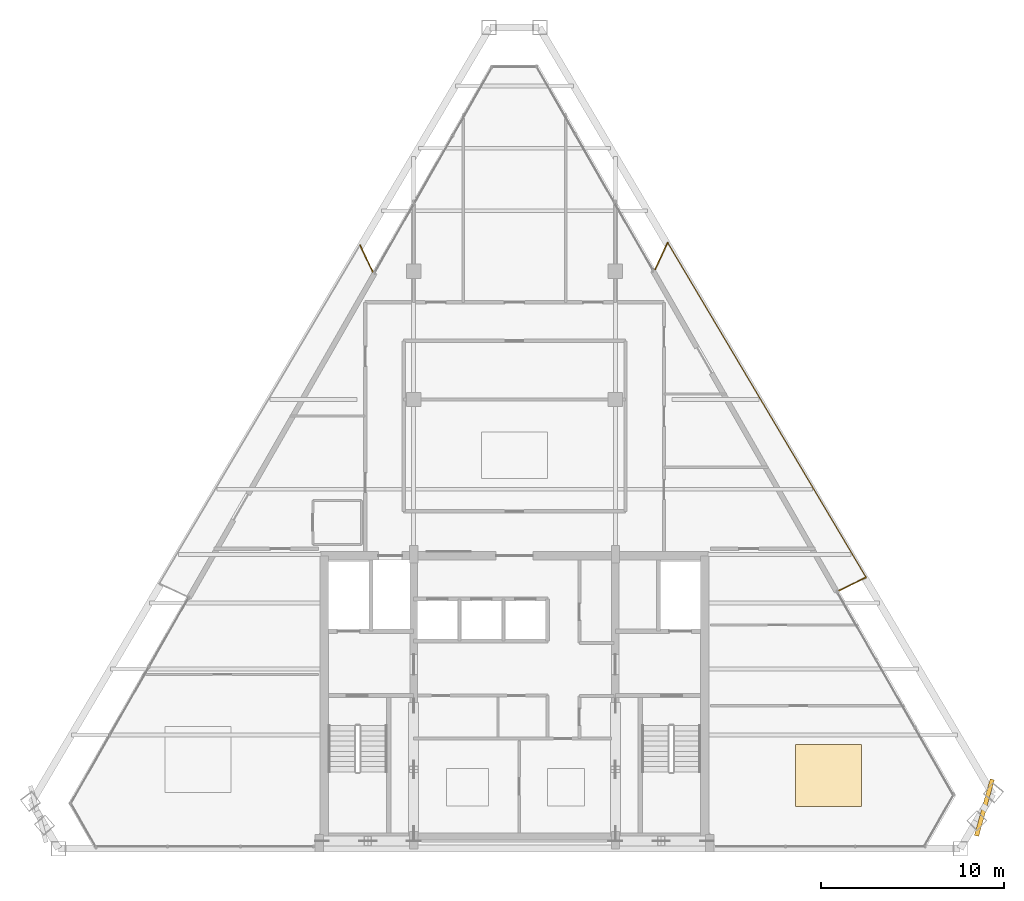
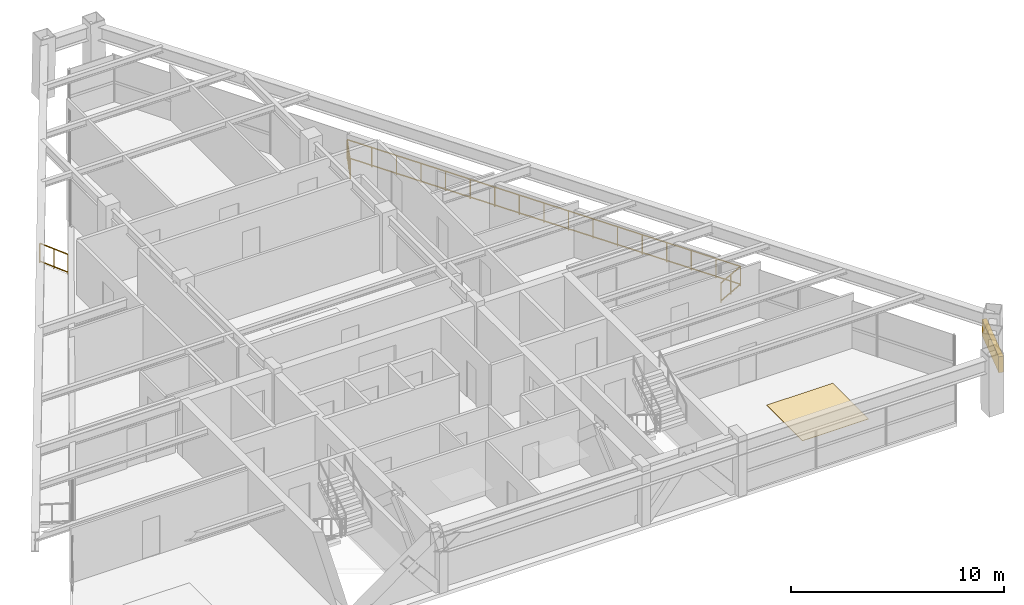
# One storey, part 13 of 13: 4 railings, 1 covering, 1 shading device.
"""IFC4 building model written with IfcOpenShell, lengths in metres."""

import ifcopenshell
import ifcopenshell.guid

model = None  # the IFC model being written
_history = None  # IfcOwnerHistory: only IFC2X3 demands one
_inside = {}  # id of a spatial element -> (the spatial element, [elements in it])
_under = {}  # id of a project, library or spatial element -> (it, [spatial elements below it])
_declared = {}  # id of a project -> (the project, [libraries it declares])
_typed = {}  # id of a type object -> (the type object, [elements of that type])
_made_of = {}  # id of a material, layer set ... -> (it, [elements and type objects made of it])


def new_model(schema):
    """Start an empty IFC model of exactly this schema.

    Asked for "IFC4X3", IfcOpenShell would pick the latest addendum, in which some entities
    have other attributes; the version numbers below select the first issue.
    IFC2X3 requires an IfcOwnerHistory on every rooted entity: one is made here for all.
    """
    global model, _history
    if schema == "IFC4X3":
        model = ifcopenshell.file(schema_version=(4, 3, 0, 0))
    else:
        model = ifcopenshell.file(schema=schema)
    _inside.clear()
    _under.clear()
    _declared.clear()
    _typed.clear()
    _made_of.clear()
    _history = None
    if model.schema == "IFC2X3":
        org = make("IfcOrganization", Name="unknown")
        user = make(
            "IfcPersonAndOrganization",
            ThePerson=make("IfcPerson", FamilyName="unknown"),
            TheOrganization=org,
        )
        app = make(
            "IfcApplication",
            ApplicationDeveloper=org,
            Version="unknown",
            ApplicationFullName="unknown",
            ApplicationIdentifier="unknown",
        )
        _history = make(
            "IfcOwnerHistory",
            OwningUser=user,
            OwningApplication=app,
            ChangeAction="ADDED",
            CreationDate=0,
        )
    return model


def make(cls, **values):
    """One entity of the class cls with the attributes given. An attribute that is None is left unset."""
    return model.create_entity(
        cls, **{name: value for name, value in values.items() if value is not None}
    )


def rooted(cls, **values):
    """An entity with a GlobalId (a new one), such as an element, a storey or a relation."""
    return make(cls, GlobalId=ifcopenshell.guid.new(), OwnerHistory=_history, **values)


def si_unit(unit_type, name, prefix=None):
    """IfcSIUnit, for example si_unit("LENGTHUNIT", "METRE", prefix="MILLI")."""
    return make("IfcSIUnit", UnitType=unit_type, Prefix=prefix, Name=name)


def assignment(units):
    """IfcUnitAssignment: the units of a project."""
    return None if units is None else make("IfcUnitAssignment", Units=units)


def point(xyz):
    """IfcCartesianPoint."""
    return None if xyz is None else make("IfcCartesianPoint", Coordinates=xyz)


def direction(xyz):
    """IfcDirection."""
    return None if xyz is None else make("IfcDirection", DirectionRatios=xyz)


def frame(location, z_axis=None, x_axis=None):
    """IfcAxis2Placement3D, a coordinate frame: its origin and axes. An axis left out is left unset."""
    return make(
        "IfcAxis2Placement3D",
        Location=point(location),
        Axis=direction(z_axis),
        RefDirection=direction(x_axis),
    )


def frame_2d(location, x_axis=None):
    """IfcAxis2Placement2D, a coordinate frame in the plane: its origin and x axis."""
    return make(
        "IfcAxis2Placement2D", Location=point(location), RefDirection=direction(x_axis)
    )


def origin():
    """The frame at (0, 0, 0) with its axes left unset."""
    return frame((0.0, 0.0, 0.0))


def origin_2d():
    """The frame at (0, 0) in the plane with its x axis left unset."""
    return frame_2d((0.0, 0.0))


def place(relative_to, where):
    """IfcLocalPlacement: puts the frame where relative to a parent placement (None: the world)."""
    return make(
        "IfcLocalPlacement", PlacementRelTo=relative_to, RelativePlacement=where
    )


def context(
    kind, dimensions, precision=None, world=None, true_north=None, identifier=None
):
    """IfcGeometricRepresentationContext, for example the 3D "Model" context."""
    return make(
        "IfcGeometricRepresentationContext",
        ContextIdentifier=identifier,
        ContextType=kind,
        CoordinateSpaceDimension=dimensions,
        Precision=precision,
        WorldCoordinateSystem=world,
        TrueNorth=true_north,
    )


def subcontext(parent, identifier, kind, view, scale=None):
    """IfcGeometricRepresentationSubContext, for example "Body" below "Model"."""
    return make(
        "IfcGeometricRepresentationSubContext",
        ContextIdentifier=identifier,
        ContextType=kind,
        ParentContext=parent,
        TargetScale=scale,
        TargetView=view,
    )


def project(units=None, contexts=None):
    """IfcProject with its units and contexts."""
    return rooted(
        "IfcProject",
        Name="project",
        RepresentationContexts=contexts,
        UnitsInContext=assignment(units),
    )


def spatial(cls, under=None, at=None, **own):
    """A site, building, storey or space (cls), placed at a placement, below another one or the project."""
    s = rooted(cls, ObjectPlacement=at, **own)
    if under is not None:
        _under.setdefault(under.id(), (under, []))[1].append(s)
    return s


def profile(cls, at=None, kind="AREA", **sizes):
    """A parametric profile (cls). Its sizes go by their IFC names, for example OverallWidth=200.0."""
    return make(cls, ProfileType=kind, Position=at, **sizes)


def rectangle(**sizes):
    """IfcRectangleProfileDef."""
    return profile("IfcRectangleProfileDef", **sizes)


def extrude(swept, where, along, depth):
    """IfcExtrudedAreaSolid: the profile swept, set in the frame where, extruded along a direction by depth."""
    return make(
        "IfcExtrudedAreaSolid",
        SweptArea=swept,
        Position=where,
        ExtrudedDirection=direction(along),
        Depth=depth,
    )


def shape(context_of_items, identifier, shape_type, items):
    """IfcShapeRepresentation: the items that make up one representation, for example the "Body"."""
    return make(
        "IfcShapeRepresentation",
        ContextOfItems=context_of_items,
        RepresentationIdentifier=identifier,
        RepresentationType=shape_type,
        Items=items,
    )


def source(mapping_origin, context_of_items, identifier, shape_type, items):
    """IfcRepresentationMap: a shape defined once, which mapped items show again and again."""
    return make(
        "IfcRepresentationMap",
        MappingOrigin=mapping_origin,
        MappedRepresentation=shape(context_of_items, identifier, shape_type, items),
    )


def transform(
    local_origin,
    x_axis=None,
    y_axis=None,
    z_axis=None,
    scale=None,
    scale2=None,
    scale3=None,
    uniform=True,
):
    """IfcCartesianTransformationOperator3D, or its non-uniform kind. x_axis, y_axis, z_axis: its Axis1, 2, 3."""
    if uniform:
        return make(
            "IfcCartesianTransformationOperator3D",
            Axis1=direction(x_axis),
            Axis2=direction(y_axis),
            LocalOrigin=point(local_origin),
            Scale=scale,
            Axis3=direction(z_axis),
        )
    return make(
        "IfcCartesianTransformationOperator3DnonUniform",
        Axis1=direction(x_axis),
        Axis2=direction(y_axis),
        LocalOrigin=point(local_origin),
        Scale=scale,
        Axis3=direction(z_axis),
        Scale2=scale2,
        Scale3=scale3,
    )


def mapped(mapping_source, mapping_target):
    """IfcMappedItem: shows the shape of a source again, moved by a transform."""
    return make(
        "IfcMappedItem", MappingSource=mapping_source, MappingTarget=mapping_target
    )


def material(Name=None, Category=None):
    """IfcMaterial."""
    return make("IfcMaterial", Name=Name, Category=Category)


def layer(
    of_material, thickness, ventilated=None, Name=None, Category=None, Priority=None
):
    """IfcMaterialLayer: one layer of a wall or slab, of a material (None: an air gap)."""
    return make(
        "IfcMaterialLayer",
        Material=of_material,
        LayerThickness=thickness,
        IsVentilated=ventilated,
        Name=Name,
        Category=Category,
        Priority=Priority,
    )


def layer_set(layers, Name=None):
    """IfcMaterialLayerSet."""
    return make("IfcMaterialLayerSet", MaterialLayers=layers, LayerSetName=Name)


def made_of(thing, what):
    """Note that an element or type object is made of a material, layer set ...; save() writes the relation."""
    if what is not None:
        _made_of.setdefault(what.id(), (what, []))[1].append(thing)
    return thing


def type_object(cls, material=None, **own):
    """A type object (cls), such as IfcWallType, which elements share."""
    return made_of(rooted(cls, **own), material)


def type_shapes(of_type, sources):
    """Give a type object the sources (RepresentationMaps) that its elements show as mapped items."""
    of_type.RepresentationMaps = sources


def element(
    cls,
    number,
    at=None,
    inside=None,
    cuts=None,
    type_object=None,
    material=None,
    context=None,
    identifier="Body",
    shape_type=None,
    held_by="IfcProductDefinitionShape",
    body=None,
    shapes=None,
    **own,
):
    """One element of the class cls, such as IfcWall. Its Tag is "e" and its number.

    at: its placement. inside: the storey or other place that contains it. cuts: it is an
    opening in that element (IfcRelVoidsElement). A single representation is given by context,
    identifier, shape_type and body (its items); several are given by shapes. held_by: the class
    of the entity that holds the representations. save() writes the other relations.
    """
    e = rooted(cls, Tag="e%d" % number, ObjectPlacement=at, **own)
    if body is not None:
        shapes = [shape(context, identifier, shape_type, body)]
    if shapes is not None:
        e.Representation = make(held_by, Representations=shapes)
    if inside is not None:
        _inside.setdefault(inside.id(), (inside, []))[1].append(e)
    if cuts is not None:
        rooted(
            "IfcRelVoidsElement", RelatingBuildingElement=cuts, RelatedOpeningElement=e
        )
    if type_object is not None:
        _typed.setdefault(type_object.id(), (type_object, []))[1].append(e)
    return made_of(e, material)


def aggregate(whole, parts):
    """IfcRelAggregates: a whole, such as a stair, and the parts it consists of."""
    return rooted("IfcRelAggregates", RelatingObject=whole, RelatedObjects=parts)


def save(model, path):
    """Write the relations noted so far, then the file.

    IfcRelAggregates (storeys below a building ...), IfcRelContainedInSpatialStructure (elements
    in a storey), IfcRelDefinesByType, IfcRelAssociatesMaterial and IfcRelDeclares: one each for
    every whole, place, type object, material and project.
    """
    for whole, parts in _under.values():
        aggregate(whole, parts)
    for where, things in _inside.values():
        rooted(
            "IfcRelContainedInSpatialStructure",
            RelatedElements=things,
            RelatingStructure=where,
        )
    for kind, things in _typed.values():
        rooted("IfcRelDefinesByType", RelatedObjects=things, RelatingType=kind)
    for what, things in _made_of.values():
        rooted("IfcRelAssociatesMaterial", RelatedObjects=things, RelatingMaterial=what)
    for by, libraries in _declared.values():
        rooted("IfcRelDeclares", RelatingContext=by, RelatedDefinitions=libraries)
    model.write(path)


model = new_model("IFC4")

# Units and contexts
model_context = context("Model", 3, precision=1e-05, world=origin(), true_north=direction((0.0, 1.0)))
body_context = subcontext(model_context, "Body", "Model", "MODEL_VIEW")
ifc_project = project(units=[si_unit("LENGTHUNIT", "METRE"), si_unit("AREAUNIT", "SQUARE_METRE"), si_unit("VOLUMEUNIT", "CUBIC_METRE"), si_unit("PLANEANGLEUNIT", "RADIAN"), si_unit("MASSUNIT", "GRAM", prefix="KILO")], contexts=[model_context])

# Site, building, storey
site_placement = place(None, origin())
site = spatial("IfcSite", under=ifc_project, at=site_placement, CompositionType="ELEMENT")
building_placement = place(site_placement, origin())
building = spatial("IfcBuilding", under=site, at=building_placement, Name="Varnakhor Terracotta Tower", CompositionType="ELEMENT")
storey_placement = place(building_placement, frame((0.0, 0.0, 300.60009765625)))
storey = spatial("IfcBuildingStorey", under=building, at=storey_placement, Name="L79", CompositionType="ELEMENT", Elevation=300.60009765625)

# Railings
ifc_material_1 = material(Name="Stainless Steel & Laminated Glass Guardrail", Category="steel")
railing_type = type_object("IfcRailingType", Name="RLG-LOGGIA-GUARD-1150", PredefinedType="GUARDRAIL", material=ifc_material_1)
railing_1_placement = place(storey_placement, frame((7.66845703125, 31.59912109375, 0.0)))
element("IfcRailing", 1, at=railing_1_placement, inside=storey, type_object=railing_type, Name="L79 E Loggia Glass Guard 1", PredefinedType="GUARDRAIL", context=body_context, shape_type="SweptSolid", body=[
    extrude(rectangle(XDim=0.048095703125, YDim=0.048095703125, at=origin_2d()), frame((0.0, 0.0, 1.1259765625), z_axis=(0.424231578871, 0.905553735285, 0.0), x_axis=(-0.905553735285, 0.424231578871, 0.0)), (0.0, 0.0, 1.0), 1.60791015625),
    extrude(rectangle(XDim=0.048095703125, YDim=0.048095703125, at=origin_2d()), frame((0.0, 0.0, 0.10009765625), z_axis=(0.424231578871, 0.905553735285, 0.0), x_axis=(-0.905553735285, 0.424231578871, 0.0)), (0.0, 0.0, 1.0), 1.60791015625),
    extrude(rectangle(XDim=0.0419921875, YDim=0.0419921875, at=origin_2d()), origin(), (0.0, 0.0, 1.0), 1.101806640625),
    extrude(rectangle(XDim=0.0419921875, YDim=0.0419921875, at=origin_2d()), frame((0.341064453125, 0.72802734375, 0.0)), (0.0, 0.0, 1.0), 1.101806640625),
    extrude(rectangle(XDim=0.0419921875, YDim=0.0419921875, at=origin_2d()), frame((0.68212890625, 1.4560546875, 0.0)), (0.0, 0.0, 1.0), 1.101806640625),
])
railing_2_placement = place(storey_placement, frame((8.3505859375, 33.05517578125, 0.0)))
element("IfcRailing", 2, at=railing_2_placement, inside=storey, type_object=railing_type, Name="L79 E Loggia Glass Guard 2", PredefinedType="GUARDRAIL", context=body_context, shape_type="SweptSolid", body=[
    extrude(rectangle(XDim=0.048095703125, YDim=0.048095703125, at=origin_2d()), frame((0.0, 0.0, 1.1259765625), z_axis=(0.509919366504, -0.860222203657, 0.0), x_axis=(0.860222203657, 0.509919366504, 0.0)), (0.0, 0.0, 1.0), 21.223876953125),
    extrude(rectangle(XDim=0.048095703125, YDim=0.048095703125, at=origin_2d()), frame((0.0, 0.0, 0.10009765625), z_axis=(0.509919366504, -0.860222203657, 0.0), x_axis=(0.860222203657, 0.509919366504, 0.0)), (0.0, 0.0, 1.0), 21.223876953125),
    extrude(rectangle(XDim=0.0419921875, YDim=0.0419921875, at=origin_2d()), origin(), (0.0, 0.0, 1.0), 1.101806640625),
    extrude(rectangle(XDim=0.0419921875, YDim=0.0419921875, at=origin_2d()), frame((0.676513671875, -1.14111328125, 0.0)), (0.0, 0.0, 1.0), 1.101806640625),
    extrude(rectangle(XDim=0.0419921875, YDim=0.0419921875, at=origin_2d()), frame((1.352783203125, -2.2822265625, 0.0)), (0.0, 0.0, 1.0), 1.101806640625),
    extrude(rectangle(XDim=0.0419921875, YDim=0.0419921875, at=origin_2d()), frame((2.029296875, -3.42333984375, 0.0)), (0.0, 0.0, 1.0), 1.101806640625),
    extrude(rectangle(XDim=0.0419921875, YDim=0.0419921875, at=origin_2d()), frame((2.70556640625, -4.564453125, 0.0)), (0.0, 0.0, 1.0), 1.101806640625),
    extrude(rectangle(XDim=0.0419921875, YDim=0.0419921875, at=origin_2d()), frame((3.382080078125, -5.705322265625, 0.0)), (0.0, 0.0, 1.0), 1.101806640625),
    extrude(rectangle(XDim=0.0419921875, YDim=0.0419921875, at=origin_2d()), frame((4.058349609375, -6.846435546875, 0.0)), (0.0, 0.0, 1.0), 1.101806640625),
    extrude(rectangle(XDim=0.0419921875, YDim=0.0419921875, at=origin_2d()), frame((4.73486328125, -7.987548828125, 0.0)), (0.0, 0.0, 1.0), 1.101806640625),
    extrude(rectangle(XDim=0.0419921875, YDim=0.0419921875, at=origin_2d()), frame((5.4111328125, -9.128662109375, 0.0)), (0.0, 0.0, 1.0), 1.101806640625),
    extrude(rectangle(XDim=0.0419921875, YDim=0.0419921875, at=origin_2d()), frame((6.087646484375, -10.269775390625, 0.0)), (0.0, 0.0, 1.0), 1.101806640625),
    extrude(rectangle(XDim=0.0419921875, YDim=0.0419921875, at=origin_2d()), frame((6.76416015625, -11.410888671875, 0.0)), (0.0, 0.0, 1.0), 1.101806640625),
    extrude(rectangle(XDim=0.0419921875, YDim=0.0419921875, at=origin_2d()), frame((7.4404296875, -12.552001953125, 0.0)), (0.0, 0.0, 1.0), 1.101806640625),
    extrude(rectangle(XDim=0.0419921875, YDim=0.0419921875, at=origin_2d()), frame((8.116943359375, -13.69287109375, 0.0)), (0.0, 0.0, 1.0), 1.101806640625),
    extrude(rectangle(XDim=0.0419921875, YDim=0.0419921875, at=origin_2d()), frame((8.793212890625, -14.833984375, 0.0)), (0.0, 0.0, 1.0), 1.101806640625),
    extrude(rectangle(XDim=0.0419921875, YDim=0.0419921875, at=origin_2d()), frame((9.4697265625, -15.97509765625, 0.0)), (0.0, 0.0, 1.0), 1.101806640625),
    extrude(rectangle(XDim=0.0419921875, YDim=0.0419921875, at=origin_2d()), frame((10.14599609375, -17.1162109375, 0.0)), (0.0, 0.0, 1.0), 1.101806640625),
    extrude(rectangle(XDim=0.0419921875, YDim=0.0419921875, at=origin_2d()), frame((10.822509765625, -18.25732421875, 0.0)), (0.0, 0.0, 1.0), 1.101806640625),
])
railing_3_placement = place(storey_placement, frame((19.173095703125, 14.7978515625, 0.0)))
element("IfcRailing", 3, at=railing_3_placement, inside=storey, type_object=railing_type, Name="L79 E Loggia Glass Guard 3", PredefinedType="GUARDRAIL", context=body_context, shape_type="SweptSolid", body=[
    extrude(rectangle(XDim=0.048095703125, YDim=0.048095703125, at=origin_2d()), frame((0.0, 0.0, 1.1259765625), z_axis=(-0.89851578213, -0.438941213904, 0.0), x_axis=(0.438941213904, -0.89851578213, 0.0)), (0.0, 0.0, 1.0), 1.644775390625),
    extrude(rectangle(XDim=0.048095703125, YDim=0.048095703125, at=origin_2d()), frame((0.0, 0.0, 0.10009765625), z_axis=(-0.89851578213, -0.438941213904, 0.0), x_axis=(0.438941213904, -0.89851578213, 0.0)), (0.0, 0.0, 1.0), 1.644775390625),
    extrude(rectangle(XDim=0.0419921875, YDim=0.0419921875, at=origin_2d()), origin(), (0.0, 0.0, 1.0), 1.101806640625),
    extrude(rectangle(XDim=0.0419921875, YDim=0.0419921875, at=origin_2d()), frame((-0.73876953125, -0.36083984375, 0.0)), (0.0, 0.0, 1.0), 1.101806640625),
    extrude(rectangle(XDim=0.0419921875, YDim=0.0419921875, at=origin_2d()), frame((-1.477783203125, -0.721923828125, 0.0)), (0.0, 0.0, 1.0), 1.101806640625),
])
railing_4_placement = place(storey_placement, frame((-8.428955078125, 32.923095703125, 0.0)))
element("IfcRailing", 4, at=railing_4_placement, inside=storey, type_object=railing_type, Name="L79 W Loggia Glass Guard 3", PredefinedType="GUARDRAIL", context=body_context, shape_type="SweptSolid", body=[
    extrude(rectangle(XDim=0.048095703125, YDim=0.048095703125, at=origin_2d()), frame((0.0, 0.0, 1.1259765625), z_axis=(0.428870677809, -0.903365895811, 0.0), x_axis=(0.903365895811, 0.428870677809, 0.0)), (0.0, 0.0, 1.0), 1.605224609375),
    extrude(rectangle(XDim=0.048095703125, YDim=0.048095703125, at=origin_2d()), frame((0.0, 0.0, 0.10009765625), z_axis=(0.428870677809, -0.903365895811, 0.0), x_axis=(0.903365895811, 0.428870677809, 0.0)), (0.0, 0.0, 1.0), 1.605224609375),
    extrude(rectangle(XDim=0.0419921875, YDim=0.0419921875, at=origin_2d()), origin(), (0.0, 0.0, 1.0), 1.101806640625),
    extrude(rectangle(XDim=0.0419921875, YDim=0.0419921875, at=origin_2d()), frame((0.34423828125, -0.72509765625, 0.0)), (0.0, 0.0, 1.0), 1.101806640625),
    extrude(rectangle(XDim=0.0419921875, YDim=0.0419921875, at=origin_2d()), frame((0.6884765625, -1.4501953125, 0.0)), (0.0, 0.0, 1.0), 1.101806640625),
])

# Shading device
ifc_material_2 = material(Name="Extruded Architectural Terracotta Screen", Category="masonry")
shading_device_type = type_object("IfcShadingDeviceType", Name="TERRACOTTA SOLAR SCREEN E", PredefinedType="USERDEFINED", material=ifc_material_2)
shared_shape_1 = source(origin(), body_context, "Body", "SweptSolid", [
    extrude(rectangle(XDim=3.199951171875, YDim=0.239990234375, at=origin_2d()), origin(), (0.0, 0.0, 1.0), 0.919921875),
])
type_shapes(shading_device_type, [shared_shape_1])
shading_device_placement = place(storey_placement, frame((25.627197265625, 2.239013671875, 1.471923828125), z_axis=(0.0, 0.0, 1.0), x_axis=(0.269020681289, 0.963134400299, 0.0)))
element("IfcShadingDevice", 5, at=shading_device_placement, inside=storey, type_object=shading_device_type, Name="L79 E Terracotta Solar Screen", ObjectType="SCREEN", PredefinedType="USERDEFINED", context=body_context, shape_type="MappedRepresentation", body=[
    mapped(shared_shape_1, transform((0.0, 0.0, 0.0), scale=1.0)),
])

# Covering
ifc_material_3 = material(Name="Honed Riyadh Limestone Flooring", Category="masonry")
ifc_layer = layer(ifc_material_3, 0.030029296875, Name="Honed Riyadh Limestone Flooring")
ifc_layer_set = layer_set([ifc_layer], Name="Honed Riyadh Limestone Flooring")
covering_type = type_object("IfcCoveringType", Name="COV-FLOOR-LIMESTONE", PredefinedType="FLOORING", material=ifc_layer_set)
shared_shape_2 = source(origin(), body_context, "Body", "SweptSolid", [
    extrude(rectangle(XDim=3.60009765625, YDim=3.382080078125, at=origin_2d()), origin(), (0.0, 0.0, 1.0), 0.02001953125),
])
covering_placement = place(storey_placement, frame((17.136962890625, 4.0048828125, 0.0), z_axis=(0.0, 0.0, 1.0), x_axis=(1.0, 0.0, 0.0)))
element("IfcCovering", 6, at=covering_placement, inside=storey, type_object=covering_type, Name="L79 Honed Stone Flooring 3", PredefinedType="FLOORING", context=body_context, shape_type="MappedRepresentation", body=[
    mapped(shared_shape_2, transform((0.0, 0.0, 0.0), scale=1.0)),
])

save(model, "model.ifc")
